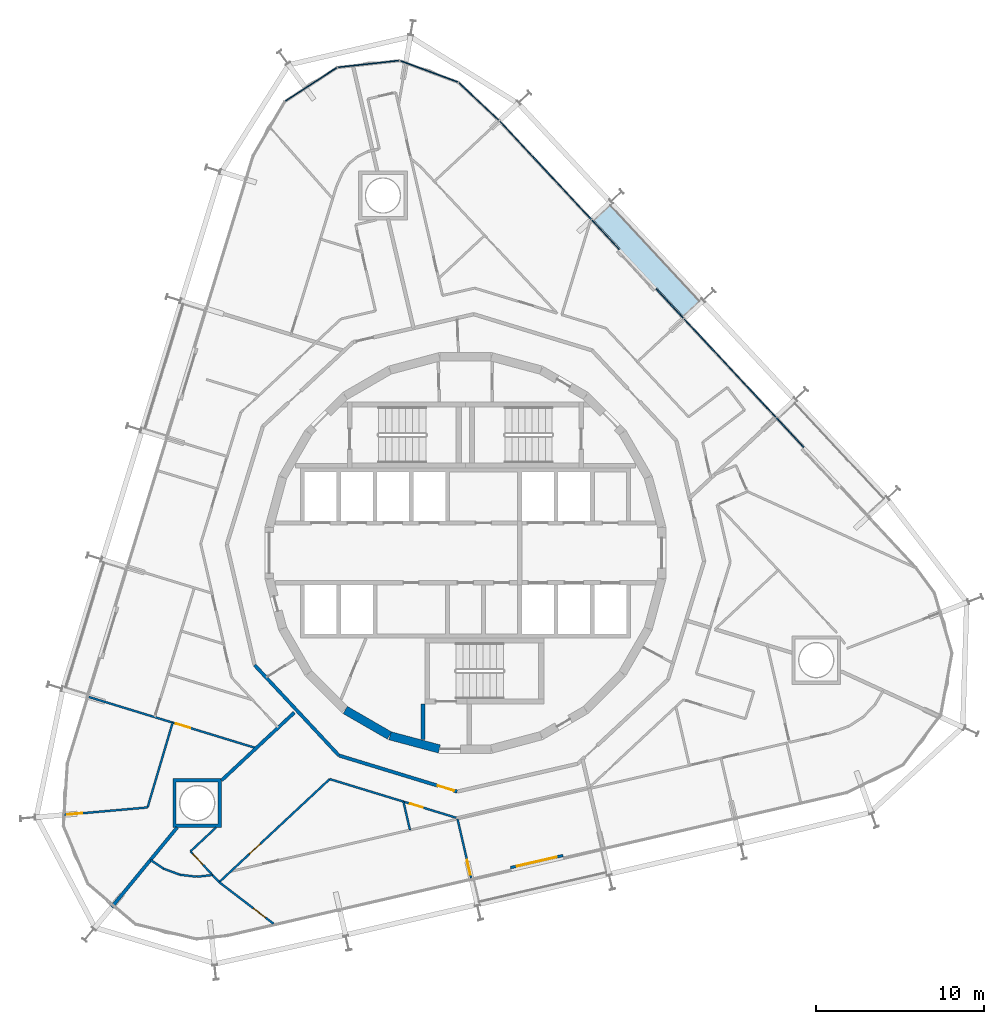
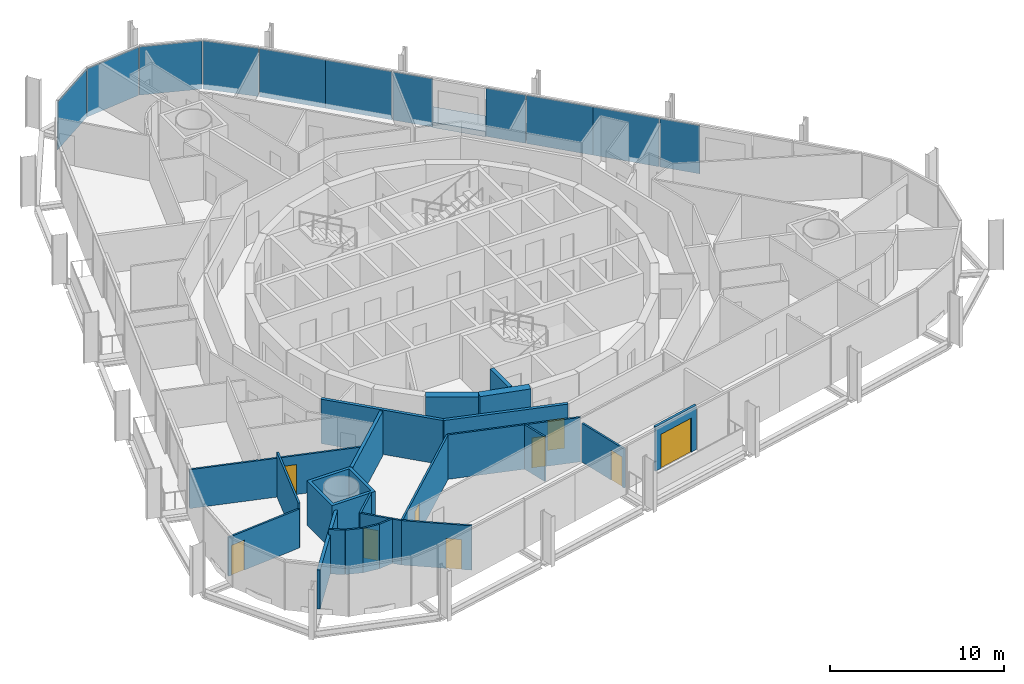
# One storey, part 11 of 18: 23 walls, 11 plates, 9 doors, 1 slab, 9 openings, 2 elements without a shape of their own.
"""IFC4 building model written with IfcOpenShell, lengths in metres."""

from ifc_helpers import new_model, si_unit, direction, frame, frame_2d, origin, origin_2d, place, context, subcontext, project, spatial, polyline, rectangle, outline, extrude, material, layer, layer_set, type_object, element, fill, aggregate, save


model = new_model("IFC4")

# Units and contexts
model_context = context("Model", 3, precision=1e-05, world=origin(), true_north=direction((0.0, 1.0)))
body_context = subcontext(model_context, "Body", "Model", "MODEL_VIEW")
ifc_project = project(units=[si_unit("LENGTHUNIT", "METRE"), si_unit("AREAUNIT", "SQUARE_METRE"), si_unit("VOLUMEUNIT", "CUBIC_METRE"), si_unit("PLANEANGLEUNIT", "RADIAN"), si_unit("MASSUNIT", "GRAM", prefix="KILO")], contexts=[model_context])

# Site, building, storey
site_placement = place(None, origin())
site = spatial("IfcSite", under=ifc_project, at=site_placement, CompositionType="ELEMENT")
building_placement = place(site_placement, origin())
building = spatial("IfcBuilding", under=site, at=building_placement, Name="Spindle Arch Residences", CompositionType="ELEMENT")
storey_placement = place(building_placement, frame((0.0, 0.0, 130.89990234375)))
storey = spatial("IfcBuildingStorey", under=building, at=storey_placement, Name="L32", CompositionType="ELEMENT", Elevation=130.89990234375)

# Slab
ifc_material_1 = material(Name="Concrete C40/50", Category="concrete")
ifc_layer_1 = layer(ifc_material_1, 0.3798828125)
ifc_layer_set_1 = layer_set([ifc_layer_1], Name="Balcony slab 380")
slab_type = type_object("IfcSlabType", Name="Balcony slab 380", PredefinedType="FLOOR", material=ifc_layer_set_1)
slab_placement = place(storey_placement, frame((0.0, 0.0, -0.3798828125)))
element("IfcSlab", 1, at=slab_placement, inside=storey, type_object=slab_type, Name="Balcony L32 bay 8", PredefinedType="FLOOR", context=body_context, shape_type="SweptSolid", body=[
    extrude(outline(polyline([(14.058837890625, 15.04248046875), (14.0078125, 15.09716796875), (13.89794921875, 14.994873046875), (8.626708984375, 20.647705078125), (8.736328125, 20.75), (8.685302734375, 20.804931640625), (7.595458984375, 19.78857421875), (9.191162109375, 18.07763671875), (9.07421875, 17.968505859375), (11.256591796875, 15.628173828125), (11.37353515625, 15.7373046875), (12.96923828125, 14.026123046875), (14.058837890625, 15.04248046875)])), origin(), (0.0, 0.0, 1.0), 0.3798828125),
])

# Curtain wall, plates
ifc_material_2 = material(Name="Aluminium bronze unitised frame with tinted glass", Category="aluminium")
ifc_layer_2 = layer(ifc_material_2, 0.159912109375)
ifc_layer_set_2 = layer_set([ifc_layer_2], Name="CW-C typical residential unitised wall")
curtain_wall_type_1 = type_object("IfcCurtainWallType", Name="CW-C typical residential unitised wall", PredefinedType="NOTDEFINED", material=ifc_layer_set_2)
curtain_wall_1_placement = place(storey_placement, origin())
curtain_wall_1 = element("IfcCurtainWall", 2, at=curtain_wall_1_placement, inside=storey, type_object=curtain_wall_type_1, Name="CW-C L32 run 2", PredefinedType="NOTDEFINED")
ifc_material_3 = material(Name="Tinted double glazing over aluminium faced non-combustible spandrel zone (K0)", Category="aluminium")
ifc_layer_3 = layer(ifc_material_3, 0.06005859375)
ifc_layer_set_3 = layer_set([ifc_layer_3], Name="Unitised glass panel with E 60 spandrel zone")
plate_type = type_object("IfcPlateType", Name="Unitised glass panel with E 60 spandrel zone", PredefinedType="CURTAIN_PANEL", material=ifc_layer_set_3)
plate_1_placement = place(storey_placement, frame((19.271240234375, 7.150634765625, -0.3798828125), z_axis=(0.0, 0.0, 1.0), x_axis=(-0.681998360062, 0.731353701619, 0.0)))
plate_1 = element("IfcPlate", 3, at=plate_1_placement, type_object=plate_type, Name="CW-C unit 05R", PredefinedType="CURTAIN_PANEL", context=body_context, shape_type="SweptSolid", body=[
    extrude(rectangle(XDim=2.384521484375, YDim=0.06005859375, at=origin_2d()), origin(), (0.0, 0.0, 1.0), 3.3798828125),
])
plate_2_placement = place(storey_placement, frame((17.05859375, 9.523681640625, -0.3798828125), z_axis=(0.0, 0.0, 1.0), x_axis=(-0.681998360062, 0.731353701619, 0.0)))
plate_2 = element("IfcPlate", 4, at=plate_2_placement, type_object=plate_type, Name="CW-C unit 06A", PredefinedType="CURTAIN_PANEL", context=body_context, shape_type="SweptSolid", body=[
    extrude(rectangle(XDim=3.984619140625, YDim=0.06005859375, at=origin_2d()), origin(), (0.0, 0.0, 1.0), 3.3798828125),
])
plate_3_placement = place(storey_placement, frame((14.341064453125, 12.437744140625, -0.3798828125), z_axis=(0.0, 0.0, 1.0), x_axis=(-0.681998360062, 0.731353701619, 0.0)))
plate_3 = element("IfcPlate", 5, at=plate_3_placement, type_object=plate_type, Name="CW-C unit 06B", PredefinedType="CURTAIN_PANEL", context=body_context, shape_type="SweptSolid", body=[
    extrude(rectangle(XDim=3.984619140625, YDim=0.06005859375, at=origin_2d()), origin(), (0.0, 0.0, 1.0), 3.3798828125),
])
plate_4_placement = place(storey_placement, frame((12.128173828125, 14.810791015625, -0.3798828125), z_axis=(0.0, 0.0, 1.0), x_axis=(-0.681998360062, 0.731353701619, 0.0)))
plate_4 = element("IfcPlate", 6, at=plate_4_placement, type_object=plate_type, Name="CW-C unit 07L", PredefinedType="CURTAIN_PANEL", context=body_context, shape_type="SweptSolid", body=[
    extrude(rectangle(XDim=2.384521484375, YDim=0.06005859375, at=origin_2d()), origin(), (0.0, 0.0, 1.0), 3.3798828125),
])
plate_5_placement = place(storey_placement, frame((8.319580078125, 18.89501953125, -0.3798828125), z_axis=(0.0, 0.0, 1.0), x_axis=(-0.681998360062, 0.731353701619, 0.0)))
plate_5 = element("IfcPlate", 7, at=plate_5_placement, type_object=plate_type, Name="CW-C unit 07R", PredefinedType="CURTAIN_PANEL", context=body_context, shape_type="SweptSolid", body=[
    extrude(rectangle(XDim=2.384521484375, YDim=0.06005859375, at=origin_2d()), origin(), (0.0, 0.0, 1.0), 3.3798828125),
])
plate_6_placement = place(storey_placement, frame((6.106689453125, 21.26806640625, -0.3798828125), z_axis=(0.0, 0.0, 1.0), x_axis=(-0.681998360062, 0.731353701619, 0.0)))
plate_6 = element("IfcPlate", 8, at=plate_6_placement, type_object=plate_type, Name="CW-C unit 08A", PredefinedType="CURTAIN_PANEL", context=body_context, shape_type="SweptSolid", body=[
    extrude(rectangle(XDim=3.984619140625, YDim=0.06005859375, at=origin_2d()), origin(), (0.0, 0.0, 1.0), 3.3798828125),
])
plate_7_placement = place(storey_placement, frame((3.38916015625, 24.18212890625, -0.3798828125), z_axis=(0.0, 0.0, 1.0), x_axis=(-0.681998360062, 0.731353701619, 0.0)))
plate_7 = element("IfcPlate", 9, at=plate_7_placement, type_object=plate_type, Name="CW-C unit 08B", PredefinedType="CURTAIN_PANEL", context=body_context, shape_type="SweptSolid", body=[
    extrude(rectangle(XDim=3.984619140625, YDim=0.06005859375, at=origin_2d()), origin(), (0.0, 0.0, 1.0), 3.3798828125),
])
aggregate(curtain_wall_1, [plate_1, plate_2, plate_3, plate_4, plate_5, plate_6, plate_7])

ifc_material_4 = material(Name="Aluminium bronze unitised frame with tinted glass", Category="aluminium")
ifc_layer_4 = layer(ifc_material_4, 0.159912109375)
ifc_layer_set_4 = layer_set([ifc_layer_4], Name="CW-D corner wall on the fillet arcs")
curtain_wall_type_2 = type_object("IfcCurtainWallType", Name="CW-D corner wall on the fillet arcs", PredefinedType="NOTDEFINED", material=ifc_layer_set_4)
curtain_wall_2_placement = place(storey_placement, origin())
curtain_wall_2 = element("IfcCurtainWall", 10, at=curtain_wall_2_placement, inside=storey, type_object=curtain_wall_type_2, Name="CW-D L32 run 3", PredefinedType="NOTDEFINED")
plate_8_placement = place(storey_placement, frame((0.794677734375, 26.8046875, -0.3798828125), z_axis=(0.0, 0.0, 1.0), x_axis=(-0.728270412102, 0.685289870681, 0.0)))
plate_8 = element("IfcPlate", 11, at=plate_8_placement, type_object=plate_type, Name="CW-D unit 00", PredefinedType="CURTAIN_PANEL", context=body_context, shape_type="SweptSolid", body=[
    extrude(rectangle(XDim=3.277587890625, YDim=0.06005859375, at=origin_2d()), origin(), (0.0, 0.0, 1.0), 3.3798828125),
])
plate_9_placement = place(storey_placement, frame((-2.16796875, 28.595703125, -0.3798828125), z_axis=(0.0, 0.0, 1.0), x_axis=(-0.937686936403, 0.347481235896, 0.0)))
plate_9 = element("IfcPlate", 12, at=plate_9_placement, type_object=plate_type, Name="CW-D unit 01", PredefinedType="CURTAIN_PANEL", context=body_context, shape_type="SweptSolid", body=[
    extrude(rectangle(XDim=3.666748046875, YDim=0.06005859375, at=origin_2d()), origin(), (0.0, 0.0, 1.0), 3.3798828125),
])
plate_10_placement = place(storey_placement, frame((-5.76708984375, 29.037841796875, -0.3798828125), z_axis=(0.0, 0.0, 1.0), x_axis=(-0.993896946294, -0.110312556619, 0.0)))
plate_10 = element("IfcPlate", 13, at=plate_10_placement, type_object=plate_type, Name="CW-D unit 02", PredefinedType="CURTAIN_PANEL", context=body_context, shape_type="SweptSolid", body=[
    extrude(rectangle(XDim=3.666748046875, YDim=0.06005859375, at=origin_2d()), origin(), (0.0, 0.0, 1.0), 3.3798828125),
])
plate_11_placement = place(storey_placement, frame((-9.181884765625, 27.8173828125, -0.3798828125), z_axis=(0.0, 0.0, 1.0), x_axis=(-0.838670567755, -0.544639035308, 0.0)))
plate_11 = element("IfcPlate", 14, at=plate_11_placement, type_object=plate_type, Name="CW-D unit 03", PredefinedType="CURTAIN_PANEL", context=body_context, shape_type="SweptSolid", body=[
    extrude(rectangle(XDim=3.666748046875, YDim=0.06005859375, at=origin_2d()), origin(), (0.0, 0.0, 1.0), 3.3798828125),
])
aggregate(curtain_wall_2, [plate_8, plate_9, plate_10, plate_11])

# Walls
ifc_material_5 = material(Name="Concrete C50/60", Category="concrete")
ifc_layer_5 = layer(ifc_material_5, 0.5)
ifc_layer_set_5 = layer_set([ifc_layer_5], Name="Core outline wall 500")
wall_type_1 = type_object("IfcWallType", Name="Core outline wall 500", PredefinedType="SHEAR", material=ifc_layer_set_5)
for number, where, z_axis, x_axis, name in (
    (15, (-7.13671875, -9.32861328125, 0.0), (0.0, 0.0, 1.0), (0.865975092491, -0.500087131594, 0.0), "Core outline wall 22"),
    (16, (-4.479248046875, -10.858154296875, 0.0), (0.0, 0.0, 1.0), (0.965948410781, -0.258734743916, 0.0), "Core outline wall 23"),
):
    element("IfcWall", number, at=place(storey_placement, frame(where, z_axis=z_axis, x_axis=x_axis)), inside=storey, type_object=wall_type_1, Name=name, PredefinedType="SHEAR", context=body_context, shape_type="SweptSolid", body=[
        extrude(rectangle(XDim=3.03271484375, YDim=0.5, at=frame_2d((1.516357421875, 0.0))), origin(), (0.0, 0.0, 1.0), 3.1201171875),
    ])
ifc_material_6 = material(Name="Calcium silicate block, plastered")
ifc_layer_6 = layer(ifc_material_6, 0.199951171875)
ifc_layer_set_6 = layer_set([ifc_layer_6], Name="Corridor wall 200")
wall_type_2 = type_object("IfcWallType", Name="Corridor wall 200", PredefinedType="STANDARD", material=ifc_layer_set_6)
wall_1_placement = place(storey_placement, frame((-12.523193359375, -6.65869140625, 0.0), z_axis=(0.0, 0.0, 1.0), x_axis=(0.682001841105, -0.731350455479, 0.0)))
element("IfcWall", 17, at=wall_1_placement, inside=storey, type_object=wall_type_2, Name="Corridor wall R3B1-W012", PredefinedType="STANDARD", context=body_context, shape_type="SweptSolid", body=[
    extrude(rectangle(XDim=7.341796875, YDim=0.199951171875, at=frame_2d((3.6708984375, 0.0))), origin(), (0.0, 0.0, 1.0), 3.1201171875),
])

# Wall, opening, door
wall_2_placement = place(storey_placement, frame((-7.51611328125, -12.028076171875, 0.0), z_axis=(0.0, 0.0, 1.0), x_axis=(0.956306642771, -0.292365533182, 0.0)))
wall_2 = element("IfcWall", 18, at=wall_2_placement, inside=storey, type_object=wall_type_2, Name="Corridor wall R3B1-W013", PredefinedType="STANDARD", context=body_context, shape_type="SweptSolid", body=[
    extrude(rectangle(XDim=7.341796875, YDim=0.199951171875, at=frame_2d((3.6708984375, 0.0))), origin(), (0.0, 0.0, 1.0), 3.1201171875),
])
opening_1_placement = place(wall_2_placement, frame((6.141845703125, 0.0, 0.0)))
opening_1 = element("IfcOpeningElement", 19, at=opening_1_placement, cuts=wall_2, Name="Opening R3B1-FD04", PredefinedType="OPENING", context=body_context, shape_type="SweptSolid", body=[
    extrude(rectangle(XDim=1.0, YDim=2.10009765625, at=frame_2d((0.5, 1.050048828125))), frame((0.0, 0.10986328125, 0.0), z_axis=(0.0, -1.0, 0.0), x_axis=(1.0, 0.0, 0.0)), (0.0, 0.0, 1.0), 0.219970703125),
])
ifc_material_7 = material(Name="Timber, fire-resisting door set", Category="wood")
door_type_1 = type_object("IfcDoorType", Name="Flat entrance door 1000x2100", OperationType="NOTDEFINED", PredefinedType="DOOR", material=ifc_material_7)
door_1_placement = place(opening_1_placement, origin())
door_1 = element("IfcDoor", 20, at=door_1_placement, inside=storey, type_object=door_type_1, Name="Flat entrance door R3B1-FD04", OperationType="SINGLE_SWING_LEFT", OverallHeight=2.10009765625, OverallWidth=1.0, PredefinedType="DOOR", context=body_context, shape_type="SweptSolid", body=[
    extrude(rectangle(XDim=1.0, YDim=2.10009765625, at=frame_2d((0.5, 1.050048828125))), frame((0.0, 0.02490234375, 0.0), z_axis=(0.0, -1.0, 0.0), x_axis=(1.0, 0.0, 0.0)), (0.0, 0.0, 1.0), 0.050048828125),
])
fill(opening_1, door_1)

# Walls
ifc_material_8 = material(Name="Plasterboard on steel studs", Category="steel")
ifc_layer_7 = layer(ifc_material_8, 0.1201171875)
ifc_layer_set_7 = layer_set([ifc_layer_7], Name="Flat partition 120")
wall_type_3 = type_object("IfcWallType", Name="Flat partition 120", PredefinedType="PARTITIONING", material=ifc_layer_set_7)
wall_3_placement = place(storey_placement, frame((-18.8779296875, -15.115234375, 0.0), z_axis=(0.0, 0.0, 1.0), x_axis=(0.283491828289, 0.95897465206, 0.0)))
element("IfcWall", 21, at=wall_3_placement, inside=storey, type_object=wall_type_3, Name="Flat partition R3B1-W071", PredefinedType="PARTITIONING", context=body_context, shape_type="SweptSolid", body=[
    extrude(rectangle(XDim=5.254150390625, YDim=0.1201171875, at=frame_2d((2.626953125, 0.0))), origin(), (0.0, 0.0, 1.0), 3.1201171875),
])
wall_4_placement = place(storey_placement, frame((-14.81005859375, -16.30517578125, 0.0), z_axis=(0.0, 0.0, 1.0), x_axis=(-0.73134426424, -0.682008480272, 0.0)))
element("IfcWall", 22, at=wall_4_placement, inside=storey, type_object=wall_type_3, Name="Flat partition R3B1-W072", PredefinedType="PARTITIONING", context=body_context, shape_type="SweptSolid", body=[
    extrude(rectangle(XDim=2.078369140625, YDim=0.1201171875, at=frame_2d((1.0390625, 0.0))), origin(), (0.0, 0.0, 1.0), 3.1201171875),
])

# Wall, opening, door
wall_5_placement = place(storey_placement, frame((-16.330078125, -17.72265625, 0.0), z_axis=(0.0, 0.0, 1.0), x_axis=(0.682018966854, -0.731334484933, 0.0)))
wall_5 = element("IfcWall", 23, at=wall_5_placement, inside=storey, type_object=wall_type_3, Name="Flat partition R3B1-W073", PredefinedType="PARTITIONING", context=body_context, shape_type="SweptSolid", body=[
    extrude(rectangle(XDim=2.5, YDim=0.1201171875, at=frame_2d((1.25, 0.0))), origin(), (0.0, 0.0, 1.0), 3.1201171875),
])
opening_2_placement = place(wall_5_placement, frame((0.199951171875, 0.0, 0.0)))
opening_2 = element("IfcOpeningElement", 24, at=opening_2_placement, cuts=wall_5, Name="Opening R3B1-ID19", PredefinedType="OPENING", context=body_context, shape_type="SweptSolid", body=[
    extrude(rectangle(XDim=0.89990234375, YDim=2.10009765625, at=frame_2d((0.449951171875, 1.050048828125))), frame((0.0, 0.070068359375, 0.0), z_axis=(0.0, -1.0, 0.0), x_axis=(1.0, 0.0, 0.0)), (0.0, 0.0, 1.0), 0.14013671875),
])
ifc_material_9 = material(Name="Timber door set", Category="wood")
door_type_2 = type_object("IfcDoorType", Name="Room door 900x2100", OperationType="NOTDEFINED", PredefinedType="DOOR", material=ifc_material_9)
door_2_placement = place(opening_2_placement, origin())
door_2 = element("IfcDoor", 25, at=door_2_placement, inside=storey, type_object=door_type_2, Name="Room door R3B1-ID19", OperationType="SINGLE_SWING_LEFT", OverallHeight=2.10009765625, OverallWidth=0.89990234375, PredefinedType="DOOR", context=body_context, shape_type="SweptSolid", body=[
    extrude(rectangle(XDim=0.89990234375, YDim=2.10009765625, at=frame_2d((0.449951171875, 1.050048828125))), frame((0.0, 0.02490234375, 0.0), z_axis=(0.0, -1.0, 0.0), x_axis=(1.0, 0.0, 0.0)), (0.0, 0.0, 1.0), 0.050048828125),
])
fill(opening_2, door_2)

wall_6_placement = place(storey_placement, frame((-14.625, -19.551025390625, 0.0), z_axis=(0.0, 0.0, 1.0), x_axis=(0.731348282704, 0.682004171091, 0.0)))
wall_6 = element("IfcWall", 26, at=wall_6_placement, inside=storey, type_object=wall_type_3, Name="Flat partition R3B1-W074", PredefinedType="PARTITIONING", context=body_context, shape_type="SweptSolid", body=[
    extrude(rectangle(XDim=8.97509765625, YDim=0.1201171875, at=frame_2d((4.487548828125, 0.0))), origin(), (0.0, 0.0, 1.0), 3.1201171875),
])
opening_3_placement = place(wall_6_placement, frame((2.4384765625, 0.0, 0.0)))
opening_3 = element("IfcOpeningElement", 27, at=opening_3_placement, cuts=wall_6, Name="Opening R3B1-ID20", PredefinedType="OPENING", context=body_context, shape_type="SweptSolid", body=[
    extrude(rectangle(XDim=0.89990234375, YDim=2.10009765625, at=frame_2d((0.449951171875, 1.050048828125))), frame((0.0, 0.070068359375, 0.0), z_axis=(0.0, -1.0, 0.0), x_axis=(1.0, 0.0, 0.0)), (0.0, 0.0, 1.0), 0.14013671875),
])
door_3_placement = place(opening_3_placement, origin())
door_3 = element("IfcDoor", 28, at=door_3_placement, inside=storey, type_object=door_type_2, Name="Room door R3B1-ID20", OperationType="SINGLE_SWING_LEFT", OverallHeight=2.10009765625, OverallWidth=0.89990234375, PredefinedType="DOOR", context=body_context, shape_type="SweptSolid", body=[
    extrude(rectangle(XDim=0.89990234375, YDim=2.10009765625, at=frame_2d((0.449951171875, 1.050048828125))), frame((0.0, 0.02490234375, 0.0), z_axis=(0.0, -1.0, 0.0), x_axis=(1.0, 0.0, 0.0)), (0.0, 0.0, 1.0), 0.050048828125),
])
fill(opening_3, door_3)

wall_7_placement = place(storey_placement, frame((-8.06103515625, -13.429931640625, 0.0), z_axis=(0.0, 0.0, 1.0), x_axis=(0.956302336653, -0.292379617814, 0.0)))
wall_7 = element("IfcWall", 29, at=wall_7_placement, inside=storey, type_object=wall_type_3, Name="Flat partition R3B1-W075", PredefinedType="PARTITIONING", context=body_context, shape_type="SweptSolid", body=[
    extrude(rectangle(XDim=7.85498046875, YDim=0.1201171875, at=frame_2d((3.927490234375, 0.0))), origin(), (0.0, 0.0, 1.0), 3.1201171875),
])
opening_4_placement = place(wall_7_placement, frame((4.978515625, 0.0, 0.0)))
opening_4 = element("IfcOpeningElement", 30, at=opening_4_placement, cuts=wall_7, Name="Opening R3B1-BD05", PredefinedType="OPENING", context=body_context, shape_type="SweptSolid", body=[
    extrude(rectangle(XDim=0.800048828125, YDim=2.10009765625, at=frame_2d((0.39990234375, 1.050048828125))), frame((0.0, 0.070068359375, 0.0), z_axis=(0.0, -1.0, 0.0), x_axis=(1.0, 0.0, 0.0)), (0.0, 0.0, 1.0), 0.14013671875),
])
ifc_material_10 = material(Name="Timber door set", Category="wood")
door_type_3 = type_object("IfcDoorType", Name="Bathroom door 800x2100", OperationType="NOTDEFINED", PredefinedType="DOOR", material=ifc_material_10)
door_4_placement = place(opening_4_placement, origin())
door_4 = element("IfcDoor", 31, at=door_4_placement, inside=storey, type_object=door_type_3, Name="Bathroom door R3B1-BD05", OperationType="SINGLE_SWING_LEFT", OverallHeight=2.10009765625, OverallWidth=0.800048828125, PredefinedType="DOOR", context=body_context, shape_type="SweptSolid", body=[
    extrude(rectangle(XDim=0.800048828125, YDim=2.10009765625, at=frame_2d((0.39990234375, 1.050048828125))), frame((0.0, 0.02490234375, 0.0), z_axis=(0.0, -1.0, 0.0), x_axis=(1.0, 0.0, 0.0)), (0.0, 0.0, 1.0), 0.050048828125),
])
fill(opening_4, door_4)

# Walls
wall_8_placement = place(storey_placement, frame((-18.703125, -18.22998046875, 0.0), z_axis=(0.0, 0.0, 1.0), x_axis=(0.832328473933, -0.554282699965, 0.0)))
element("IfcWall", 32, at=wall_8_placement, inside=storey, type_object=wall_type_3, Name="Flat partition R3B1-W077", PredefinedType="PARTITIONING", context=body_context, shape_type="SweptSolid", body=[
    extrude(rectangle(XDim=0.94482421875, YDim=0.1201171875, at=frame_2d((0.472412109375, 0.0))), origin(), (0.0, 0.0, 1.0), 3.1201171875),
])
wall_9_placement = place(storey_placement, frame((-17.916748046875, -18.753662109375, 0.0), z_axis=(0.0, 0.0, 1.0), x_axis=(0.937684971769, -0.347486537462, 0.0)))
element("IfcWall", 33, at=wall_9_placement, inside=storey, type_object=wall_type_3, Name="Flat partition R3B1-W078", PredefinedType="PARTITIONING", context=body_context, shape_type="SweptSolid", body=[
    extrude(rectangle(XDim=1.015869140625, YDim=0.1201171875, at=frame_2d((0.5078125, 0.0))), origin(), (0.0, 0.0, 1.0), 3.1201171875),
])
wall_10_placement = place(storey_placement, frame((-16.964111328125, -19.106689453125, 0.0), z_axis=(0.0, 0.0, 1.0), x_axis=(0.992523553766, -0.122053247474, 0.0)))
element("IfcWall", 34, at=wall_10_placement, inside=storey, type_object=wall_type_3, Name="Flat partition R3B1-W079", PredefinedType="PARTITIONING", context=body_context, shape_type="SweptSolid", body=[
    extrude(rectangle(XDim=1.01611328125, YDim=0.1201171875, at=frame_2d((0.508056640625, 0.0))), origin(), (0.0, 0.0, 1.0), 3.1201171875),
])
wall_11_placement = place(storey_placement, frame((-15.95556640625, -19.230712890625, 0.0), z_axis=(0.0, 0.0, 1.0), x_axis=(0.993867897435, 0.110573968218, 0.0)))
element("IfcWall", 35, at=wall_11_placement, inside=storey, type_object=wall_type_3, Name="Flat partition R3B1-W080", PredefinedType="PARTITIONING", context=body_context, shape_type="SweptSolid", body=[
    extrude(rectangle(XDim=0.940673828125, YDim=0.1201171875, at=frame_2d((0.47021484375, 0.0))), origin(), (0.0, 0.0, 1.0), 3.1201171875),
])

# Wall, opening, door
wall_12_placement = place(storey_placement, frame((-11.397216796875, -22.01904296875, 0.0), z_axis=(0.0, 0.0, 1.0), x_axis=(-0.794391941464, 0.60740550157, 0.0)))
wall_12 = element("IfcWall", 36, at=wall_12_placement, inside=storey, type_object=wall_type_3, Name="Flat partition R3B1-W081", PredefinedType="PARTITIONING", context=body_context, shape_type="SweptSolid", body=[
    extrude(rectangle(XDim=4.063232421875, YDim=0.1201171875, at=frame_2d((2.03173828125, 0.0))), origin(), (0.0, 0.0, 1.0), 3.1201171875),
])
opening_5_placement = place(wall_12_placement, frame((0.60009765625, 0.0, 0.0)))
opening_5 = element("IfcOpeningElement", 37, at=opening_5_placement, cuts=wall_12, Name="Opening R3B1-ID22", PredefinedType="OPENING", context=body_context, shape_type="SweptSolid", body=[
    extrude(rectangle(XDim=0.89990234375, YDim=2.10009765625, at=frame_2d((0.449951171875, 1.050048828125))), frame((0.0, 0.070068359375, 0.0), z_axis=(0.0, -1.0, 0.0), x_axis=(1.0, 0.0, 0.0)), (0.0, 0.0, 1.0), 0.14013671875),
])
door_5_placement = place(opening_5_placement, origin())
door_5 = element("IfcDoor", 38, at=door_5_placement, inside=storey, type_object=door_type_2, Name="Room door R3B1-ID22", OperationType="SINGLE_SWING_LEFT", OverallHeight=2.10009765625, OverallWidth=0.89990234375, PredefinedType="DOOR", context=body_context, shape_type="SweptSolid", body=[
    extrude(rectangle(XDim=0.89990234375, YDim=2.10009765625, at=frame_2d((0.449951171875, 1.050048828125))), frame((0.0, 0.02490234375, 0.0), z_axis=(0.0, -1.0, 0.0), x_axis=(1.0, 0.0, 0.0)), (0.0, 0.0, 1.0), 0.050048828125),
])
fill(opening_5, door_5)

# Wall
wall_13_placement = place(storey_placement, frame((-3.293701171875, -16.45361328125, 0.0), z_axis=(0.0, 0.0, 1.0), x_axis=(-0.224890438003, 0.974384057184, 0.0)))
element("IfcWall", 39, at=wall_13_placement, inside=storey, type_object=wall_type_3, Name="Flat partition R3B1-W083", PredefinedType="PARTITIONING", context=body_context, shape_type="SweptSolid", body=[
    extrude(rectangle(XDim=1.729248046875, YDim=0.1201171875, at=frame_2d((0.86474609375, 0.0))), origin(), (0.0, 0.0, 1.0), 3.1201171875),
])

# Wall, opening, door
ifc_material_11 = material(Name="Plasterboard on steel studs", Category="steel")
ifc_layer_8 = layer(ifc_material_11, 0.1201171875)
ifc_layer_set_8 = layer_set([ifc_layer_8], Name="Flat partition 120 under beam 2730")
wall_type_4 = type_object("IfcWallType", Name="Flat partition 120 under beam 2730", PredefinedType="PARTITIONING", material=ifc_layer_set_8)
wall_14_placement = place(storey_placement, frame((-22.369140625, -8.5537109375, 0.0), z_axis=(0.0, 0.0, 1.0), x_axis=(0.956298667533, -0.292391618339, 0.0)))
wall_14 = element("IfcWall", 40, at=wall_14_placement, inside=storey, type_object=wall_type_4, Name="Flat partition R3B1-W067", PredefinedType="PARTITIONING", context=body_context, shape_type="SweptSolid", body=[
    extrude(rectangle(XDim=10.39208984375, YDim=0.1201171875, at=frame_2d((5.196044921875, 0.0))), origin(), (0.0, 0.0, 1.0), 2.72998046875),
])
opening_6_placement = place(wall_14_placement, frame((5.408447265625, 0.0, 0.0)))
opening_6 = element("IfcOpeningElement", 41, at=opening_6_placement, cuts=wall_14, Name="Opening R3B1-ID17", PredefinedType="OPENING", context=body_context, shape_type="SweptSolid", body=[
    extrude(rectangle(XDim=0.89990234375, YDim=2.10009765625, at=frame_2d((0.449951171875, 1.050048828125))), frame((0.0, 0.070068359375, 0.0), z_axis=(0.0, -1.0, 0.0), x_axis=(1.0, 0.0, 0.0)), (0.0, 0.0, 1.0), 0.14013671875),
])
door_6_placement = place(opening_6_placement, origin())
door_6 = element("IfcDoor", 42, at=door_6_placement, inside=storey, type_object=door_type_2, Name="Room door R3B1-ID17", OperationType="SINGLE_SWING_RIGHT", OverallHeight=2.10009765625, OverallWidth=0.89990234375, PredefinedType="DOOR", context=body_context, shape_type="SweptSolid", body=[
    extrude(rectangle(XDim=0.89990234375, YDim=2.10009765625, at=frame_2d((0.449951171875, 1.050048828125))), frame((0.0, 0.02490234375, 0.0), z_axis=(0.0, -1.0, 0.0), x_axis=(1.0, 0.0, 0.0)), (0.0, 0.0, 1.0), 0.050048828125),
])
fill(opening_6, door_6)

wall_15_placement = place(storey_placement, frame((-23.850341796875, -15.55419921875, 0.0), z_axis=(0.0, 0.0, 1.0), x_axis=(0.996125944733, 0.087938059048, 0.0)))
wall_15 = element("IfcWall", 43, at=wall_15_placement, inside=storey, type_object=wall_type_4, Name="Flat partition R3B1-W070", PredefinedType="PARTITIONING", context=body_context, shape_type="SweptSolid", body=[
    extrude(rectangle(XDim=4.99169921875, YDim=0.1201171875, at=frame_2d((2.495849609375, 0.0))), origin(), (0.0, 0.0, 1.0), 2.72998046875),
])
opening_7_placement = place(wall_15_placement, frame((0.199951171875, 0.0, 0.0)))
opening_7 = element("IfcOpeningElement", 44, at=opening_7_placement, cuts=wall_15, Name="Opening R3B1-ID18", PredefinedType="OPENING", context=body_context, shape_type="SweptSolid", body=[
    extrude(rectangle(XDim=0.89990234375, YDim=2.10009765625, at=frame_2d((0.449951171875, 1.050048828125))), frame((0.0, 0.070068359375, 0.0), z_axis=(0.0, -1.0, 0.0), x_axis=(1.0, 0.0, 0.0)), (0.0, 0.0, 1.0), 0.14013671875),
])
door_7_placement = place(opening_7_placement, origin())
door_7 = element("IfcDoor", 45, at=door_7_placement, inside=storey, type_object=door_type_2, Name="Room door R3B1-ID18", OperationType="SINGLE_SWING_LEFT", OverallHeight=2.10009765625, OverallWidth=0.89990234375, PredefinedType="DOOR", context=body_context, shape_type="SweptSolid", body=[
    extrude(rectangle(XDim=0.89990234375, YDim=2.10009765625, at=frame_2d((0.449951171875, 1.050048828125))), frame((0.0, 0.02490234375, 0.0), z_axis=(0.0, -1.0, 0.0), x_axis=(1.0, 0.0, 0.0)), (0.0, 0.0, 1.0), 0.050048828125),
])
fill(opening_7, door_7)

wall_16_placement = place(storey_placement, frame((0.337890625, -19.309814453125, 0.0), z_axis=(0.0, 0.0, 1.0), x_axis=(-0.224943703639, 0.9743717618, 0.0)))
wall_16 = element("IfcWall", 46, at=wall_16_placement, inside=storey, type_object=wall_type_4, Name="Flat partition R3B1-W084", PredefinedType="PARTITIONING", context=body_context, shape_type="SweptSolid", body=[
    extrude(rectangle(XDim=3.60009765625, YDim=0.1201171875, at=frame_2d((1.800048828125, 0.0))), origin(), (0.0, 0.0, 1.0), 2.72998046875),
])
opening_8_placement = place(wall_16_placement, frame((0.199951171875, 0.0, 0.0)))
opening_8 = element("IfcOpeningElement", 47, at=opening_8_placement, cuts=wall_16, Name="Opening R3B1-ID23", PredefinedType="OPENING", context=body_context, shape_type="SweptSolid", body=[
    extrude(rectangle(XDim=0.89990234375, YDim=2.10009765625, at=frame_2d((0.449951171875, 1.050048828125))), frame((0.0, 0.070068359375, 0.0), z_axis=(0.0, -1.0, 0.0), x_axis=(1.0, 0.0, 0.0)), (0.0, 0.0, 1.0), 0.14013671875),
])
door_8_placement = place(opening_8_placement, origin())
door_8 = element("IfcDoor", 48, at=door_8_placement, inside=storey, type_object=door_type_2, Name="Room door R3B1-ID23", OperationType="SINGLE_SWING_RIGHT", OverallHeight=2.10009765625, OverallWidth=0.89990234375, PredefinedType="DOOR", context=body_context, shape_type="SweptSolid", body=[
    extrude(rectangle(XDim=0.89990234375, YDim=2.10009765625, at=frame_2d((0.449951171875, 1.050048828125))), frame((0.0, 0.02490234375, 0.0), z_axis=(0.0, -1.0, 0.0), x_axis=(1.0, 0.0, 0.0)), (0.0, 0.0, 1.0), 0.050048828125),
])
fill(opening_8, door_8)

# Walls
ifc_material_12 = material(Name="Calcium silicate block, plastered")
ifc_layer_9 = layer(ifc_material_12, 0.199951171875)
ifc_layer_set_9 = layer_set([ifc_layer_9], Name="Flat party wall 200")
wall_type_5 = type_object("IfcWallType", Name="Flat party wall 200", PredefinedType="STANDARD", material=ifc_layer_set_9)
wall_17_placement = place(storey_placement, frame((-14.4794921875, -13.50390625, 0.0), z_axis=(0.0, 0.0, 1.0), x_axis=(0.731329393611, 0.682024426278, 0.0)))
element("IfcWall", 49, at=wall_17_placement, inside=storey, type_object=wall_type_5, Name="Flat party wall R3B1-W020", PredefinedType="STANDARD", context=body_context, shape_type="SweptSolid", body=[
    extrude(rectangle(XDim=5.892333984375, YDim=0.199951171875, at=frame_2d((2.9462890625, 0.0))), origin(), (0.0, 0.0, 1.0), 3.1201171875),
])
ifc_material_13 = material(Name="Calcium silicate block, plastered")
ifc_layer_10 = layer(ifc_material_13, 0.199951171875)
ifc_layer_set_10 = layer_set([ifc_layer_10], Name="Flat party wall 200 under beam 2730")
wall_type_6 = type_object("IfcWallType", Name="Flat party wall 200 under beam 2730", PredefinedType="STANDARD", material=ifc_layer_set_10)
wall_18_placement = place(storey_placement, frame((-21.0, -21.025390625, 0.0), z_axis=(0.0, 0.0, 1.0), x_axis=(0.634846795952, 0.772638043116, 0.0)))
element("IfcWall", 50, at=wall_18_placement, inside=storey, type_object=wall_type_6, Name="Flat party wall R3B1-W021", PredefinedType="STANDARD", context=body_context, shape_type="SweptSolid", body=[
    extrude(rectangle(XDim=6.109130859375, YDim=0.199951171875, at=frame_2d((3.0546875, 0.0))), origin(), (0.0, 0.0, 1.0), 2.72998046875),
])

# Wall, opening, door
ifc_material_14 = material(Name="Non-combustible mineral wool insulated aluminium faced external wall (K0)", Category="aluminium")
ifc_layer_11 = layer(ifc_material_14, 0.159912109375)
ifc_layer_set_11 = layer_set([ifc_layer_11], Name="Insulated external wall panel 160")
wall_type_7 = type_object("IfcWallType", Name="Insulated external wall panel 160", PredefinedType="STANDARD", material=ifc_layer_set_11)
wall_19_placement = place(storey_placement, frame((2.672607421875, -18.688720703125, 0.0), z_axis=(0.0, 0.0, 1.0), x_axis=(0.974360325718, 0.224993234715, 0.0)))
wall_19 = element("IfcWall", 51, at=wall_19_placement, inside=storey, type_object=wall_type_7, Name="External wall L32 bay 22", PredefinedType="STANDARD", context=body_context, shape_type="SweptSolid", body=[
    extrude(rectangle(XDim=3.199951171875, YDim=0.159912109375, at=frame_2d((1.60009765625, 0.0))), origin(), (0.0, 0.0, 1.0), 3.1201171875),
])
opening_9_placement = place(wall_19_placement, frame((0.39990234375, 0.0, 0.0)))
opening_9 = element("IfcOpeningElement", 52, at=opening_9_placement, cuts=wall_19, Name="Opening BD22", PredefinedType="OPENING", context=body_context, shape_type="SweptSolid", body=[
    extrude(rectangle(XDim=2.39990234375, YDim=2.39990234375, at=frame_2d((1.199951171875, 1.199951171875))), frame((0.0, 0.08984375, 0.0), z_axis=(0.0, -1.0, 0.0), x_axis=(1.0, 0.0, 0.0)), (0.0, 0.0, 1.0), 0.179931640625),
])
ifc_material_15 = material(Name="Bronze aluminium frame, tinted double glazing", Category="aluminium")
door_type_4 = type_object("IfcDoorType", Name="Sliding glazed balcony door 2400x2400", OperationType="DOUBLE_DOOR_SLIDING", PredefinedType="DOOR", material=ifc_material_15)
door_9_placement = place(opening_9_placement, origin())
door_9 = element("IfcDoor", 53, at=door_9_placement, inside=storey, type_object=door_type_4, Name="Balcony door BD22", OperationType="DOUBLE_DOOR_SLIDING", OverallHeight=2.39990234375, OverallWidth=2.39990234375, PredefinedType="DOOR", context=body_context, shape_type="SweptSolid", body=[
    extrude(rectangle(XDim=2.39990234375, YDim=2.39990234375, at=frame_2d((1.199951171875, 1.199951171875))), frame((0.0, 0.02490234375, 0.0), z_axis=(0.0, -1.0, 0.0), x_axis=(1.0, 0.0, 0.0)), (0.0, 0.0, 1.0), 0.050048828125),
])
fill(opening_9, door_9)

# Walls
ifc_material_16 = material(Name="Calcium silicate block, plastered")
ifc_layer_12 = layer(ifc_material_16, 0.199951171875)
ifc_layer_set_12 = layer_set([ifc_layer_12], Name="Mega-column casing wall 200")
wall_type_8 = type_object("IfcWallType", Name="Mega-column casing wall 200", PredefinedType="STANDARD", material=ifc_layer_set_12)
wall_20_placement = place(storey_placement, origin())
element("IfcWall", 54, at=wall_20_placement, inside=storey, type_object=wall_type_8, Name="Mega-column casing wall R3B1-WC02", PredefinedType="STANDARD", context=body_context, shape_type="SweptSolid", body=[
    extrude(outline(polyline([(-14.480224609375, -13.4052734375), (-14.480224609375, -16.30517578125), (-17.380126953125, -16.30517578125), (-17.380126953125, -13.4052734375), (-14.480224609375, -13.4052734375)]), holes=[polyline([(-17.18017578125, -16.105224609375), (-14.68017578125, -16.105224609375), (-14.68017578125, -13.605224609375), (-17.18017578125, -13.605224609375), (-17.18017578125, -16.105224609375)])]), origin(), (0.0, 0.0, 1.0), 3.1201171875),
])
ifc_material_17 = material(Name="Concrete C40/50", Category="concrete")
ifc_layer_13 = layer(ifc_material_17, 0.25)
ifc_layer_set_13 = layer_set([ifc_layer_13], Name="Stair airlock wall 250")
wall_type_9 = type_object("IfcWallType", Name="Stair airlock wall 250", PredefinedType="SHEAR", material=ifc_layer_set_13)
wall_21_placement = place(storey_placement, frame((-2.52490234375, -8.969970703125, 0.0), z_axis=(0.0, 0.0, 1.0), x_axis=(0.0, -1.0, 0.0)))
element("IfcWall", 55, at=wall_21_placement, inside=storey, type_object=wall_type_9, Name="Stair ST-3 airlock wall W", PredefinedType="SHEAR", context=body_context, shape_type="SweptSolid", body=[
    extrude(rectangle(XDim=2.110107421875, YDim=0.25, at=frame_2d((1.05517578125, 0.0))), origin(), (0.0, 0.0, 1.0), 3.1201171875),
])

save(model, "model.ifc")
